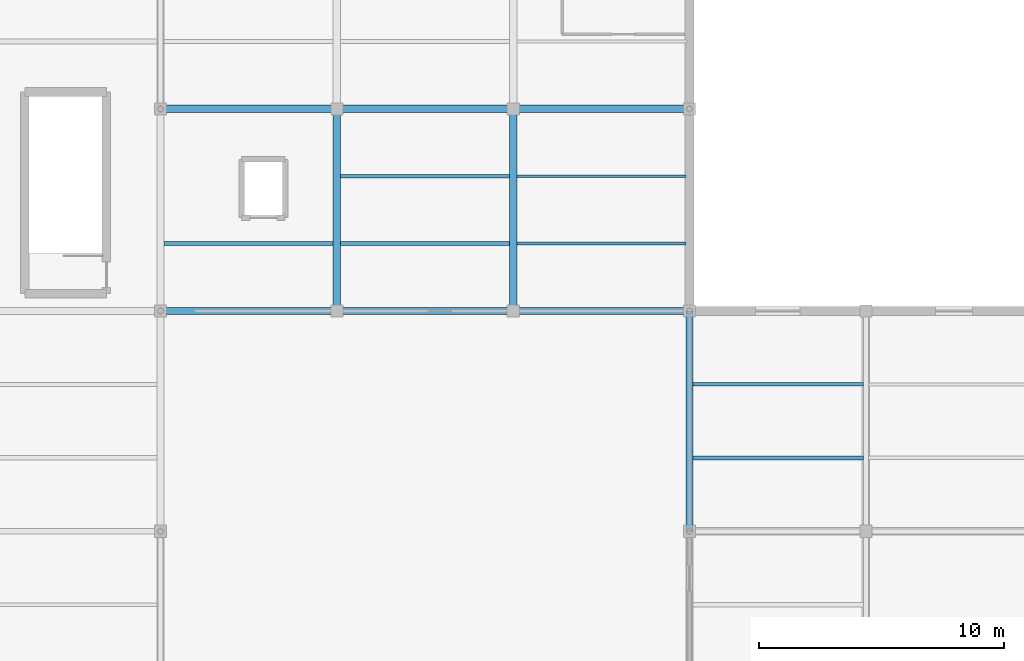
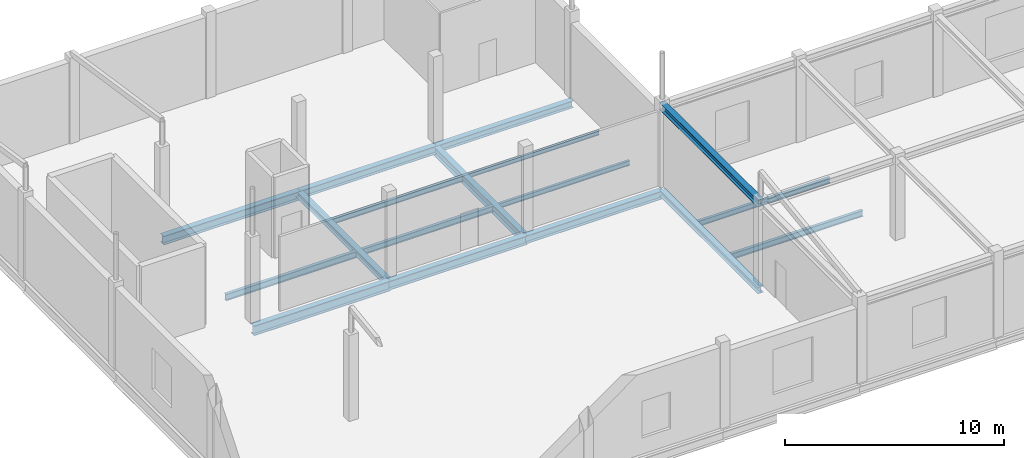
# One storey, part 12 of 35: 17 beams.
"""IFC4 building model written with IfcOpenShell, lengths in metres."""

from ifc_helpers import new_model, si_unit, direction, frame, origin, origin_2d, place, context, subcontext, project, spatial, i_section, extrude, material, material_profile, profile_set, type_object, element, save


model = new_model("IFC4")

# Units and contexts
model_context = context("Model", 3, precision=1e-05, world=origin(), true_north=direction((0.0, 1.0)))
body_context = subcontext(model_context, "Body", "Model", "MODEL_VIEW")
ifc_project = project(units=[si_unit("LENGTHUNIT", "METRE"), si_unit("AREAUNIT", "SQUARE_METRE"), si_unit("VOLUMEUNIT", "CUBIC_METRE"), si_unit("PLANEANGLEUNIT", "RADIAN"), si_unit("MASSUNIT", "GRAM", prefix="KILO")], contexts=[model_context])

# Site, building, storey
site_placement = place(None, origin())
site = spatial("IfcSite", under=ifc_project, at=site_placement, CompositionType="ELEMENT")
building_placement = place(site_placement, origin())
building = spatial("IfcBuilding", under=site, at=building_placement, Name="Sundgate Opera House", CompositionType="ELEMENT")
storey_placement = place(building_placement, frame((0.0, 0.0, 21.60009765625)))
storey = spatial("IfcBuildingStorey", under=building, at=storey_placement, Name="L04", CompositionType="ELEMENT", Elevation=21.60009765625)

# Beams
ifc_material_1 = material(Name="Steel S355J2", Category="steel")
ifc_material_profile_1 = material_profile(ifc_material_1, i_section(OverallWidth=0.300048828125, OverallDepth=0.35009765625, WebThickness=0.010009765625, FlangeThickness=0.017578125, at=origin_2d()), Name="HEA 360")
ifc_profile_set_1 = profile_set([ifc_material_profile_1], Name="Steel S355J2")
beam_type_1 = type_object("IfcBeamType", Name="BM-GR-HEA360", PredefinedType="BEAM", material=ifc_profile_set_1)
beam_1_placement = place(storey_placement, frame((124.199951171875, 78.0, -0.455078125), z_axis=(0.0, 1.0, 0.0), x_axis=(-1.0, 0.0, 0.0)))
element("IfcBeam", 1, at=beam_1_placement, inside=storey, type_object=beam_type_1, Name="L04 Primary N-S Girder B2933", PredefinedType="BEAM", context=body_context, shape_type="SweptSolid", body=[
    extrude(i_section(OverallWidth=0.300048828125, OverallDepth=0.35009765625, WebThickness=0.010009765625, FlangeThickness=0.017578125, at=origin_2d()), origin(), (0.0, 0.0, 1.0), 9.0),
])
ifc_material_2 = material(Name="Steel S355J2", Category="steel")
ifc_material_profile_2 = material_profile(ifc_material_2, i_section(OverallWidth=0.300048828125, OverallDepth=0.389892578125, WebThickness=0.010986328125, FlangeThickness=0.01904296875, at=origin_2d()), Name="HEA 400")
ifc_profile_set_2 = profile_set([ifc_material_profile_2], Name="Steel S355J2")
beam_type_2 = type_object("IfcBeamType", Name="BM-GR-HEA400", PredefinedType="BEAM", material=ifc_profile_set_2)
beam_2_placement = place(storey_placement, frame((117.0, 95.25, -0.47509765625), z_axis=(1.0, 0.0, 0.0), x_axis=(0.0, 1.0, 0.0)))
element("IfcBeam", 2, at=beam_2_placement, inside=storey, type_object=beam_type_2, Name="L04 Primary E-W Girder B2998", PredefinedType="BEAM", context=body_context, shape_type="SweptSolid", body=[
    extrude(i_section(OverallWidth=0.300048828125, OverallDepth=0.389892578125, WebThickness=0.010986328125, FlangeThickness=0.01904296875, at=origin_2d()), origin(), (0.0, 0.0, 1.0), 7.199951171875),
])
beam_3_placement = place(storey_placement, frame((124.199951171875, 78.0, 4.39501953125), z_axis=(0.0, 1.0, 0.0), x_axis=(-1.0, 0.0, 0.0)))
element("IfcBeam", 3, at=beam_3_placement, inside=storey, type_object=beam_type_2, Name="L04 L04 Roof Girder B3422", PredefinedType="BEAM", context=body_context, shape_type="SweptSolid", body=[
    extrude(i_section(OverallWidth=0.300048828125, OverallDepth=0.389892578125, WebThickness=0.010986328125, FlangeThickness=0.01904296875, at=origin_2d()), origin(), (0.0, 0.0, 1.0), 9.0),
])
ifc_material_3 = material(Name="Steel S355J2", Category="steel")
ifc_material_profile_3 = material_profile(ifc_material_3, i_section(OverallWidth=0.300048828125, OverallDepth=0.43994140625, WebThickness=0.011474609375, FlangeThickness=0.02099609375, at=origin_2d()), Name="HEA 450")
ifc_profile_set_3 = profile_set([ifc_material_profile_3], Name="Steel S355J2")
beam_type_3 = type_object("IfcBeamType", Name="BM-GR-HEA450", PredefinedType="BEAM", material=ifc_profile_set_3)
beam_4_placement = place(storey_placement, frame((109.800048828125, 95.25, -0.5), z_axis=(1.0, 0.0, 0.0), x_axis=(0.0, 1.0, 0.0)))
element("IfcBeam", 4, at=beam_4_placement, inside=storey, type_object=beam_type_3, Name="L04 Primary E-W Girder B2997", PredefinedType="BEAM", context=body_context, shape_type="SweptSolid", body=[
    extrude(i_section(OverallWidth=0.300048828125, OverallDepth=0.43994140625, WebThickness=0.011474609375, FlangeThickness=0.02099609375, at=origin_2d()), origin(), (0.0, 0.0, 1.0), 7.199951171875),
])
ifc_material_4 = material(Name="Steel S355J2", Category="steel")
ifc_material_profile_4 = material_profile(ifc_material_4, i_section(OverallWidth=0.300048828125, OverallDepth=0.489990234375, WebThickness=0.011962890625, FlangeThickness=0.02294921875, at=origin_2d()), Name="HEA 500")
ifc_profile_set_4 = profile_set([ifc_material_profile_4], Name="Steel S355J2")
beam_type_4 = type_object("IfcBeamType", Name="BM-GR-HEA500", PredefinedType="BEAM", material=ifc_profile_set_4)
beam_5_placement = place(storey_placement, frame((117.0, 87.0, -0.525146484375), z_axis=(0.0, 1.0, 0.0), x_axis=(-1.0, 0.0, 0.0)))
element("IfcBeam", 5, at=beam_5_placement, inside=storey, type_object=beam_type_4, Name="L04 Primary N-S Girder B2930", PredefinedType="BEAM", context=body_context, shape_type="SweptSolid", body=[
    extrude(i_section(OverallWidth=0.300048828125, OverallDepth=0.489990234375, WebThickness=0.011962890625, FlangeThickness=0.02294921875, at=origin_2d()), origin(), (0.0, 0.0, 1.0), 8.25),
])
beam_6_placement = place(storey_placement, frame((102.60009765625, 95.25, -0.525146484375), z_axis=(1.0, 0.0, 0.0), x_axis=(0.0, 1.0, 0.0)))
element("IfcBeam", 6, at=beam_6_placement, inside=storey, type_object=beam_type_4, Name="L04 Primary E-W Girder B2996", PredefinedType="BEAM", context=body_context, shape_type="SweptSolid", body=[
    extrude(i_section(OverallWidth=0.300048828125, OverallDepth=0.489990234375, WebThickness=0.011962890625, FlangeThickness=0.02294921875, at=origin_2d()), origin(), (0.0, 0.0, 1.0), 7.199951171875),
])
ifc_material_5 = material(Name="Steel S355J2", Category="steel")
ifc_material_profile_5 = material_profile(ifc_material_5, i_section(OverallWidth=0.300048828125, OverallDepth=0.360107421875, WebThickness=0.012451171875, FlangeThickness=0.0224609375, at=origin_2d()), Name="HEB 360")
ifc_profile_set_5 = profile_set([ifc_material_profile_5], Name="Steel S355J2")
beam_type_5 = type_object("IfcBeamType", Name="BM-GR-HEB360", PredefinedType="BEAM", material=ifc_profile_set_5)
beam_7_placement = place(storey_placement, frame((109.800048828125, 87.0, -0.460205078125), z_axis=(0.0, 1.0, 0.0), x_axis=(-1.0, 0.0, 0.0)))
element("IfcBeam", 7, at=beam_7_placement, inside=storey, type_object=beam_type_5, Name="L04 Primary N-S Girder B2928", PredefinedType="BEAM", context=body_context, shape_type="SweptSolid", body=[
    extrude(i_section(OverallWidth=0.300048828125, OverallDepth=0.360107421875, WebThickness=0.012451171875, FlangeThickness=0.0224609375, at=origin_2d()), origin(), (0.0, 0.0, 1.0), 8.25),
])
ifc_material_6 = material(Name="Steel S355J2", Category="steel")
ifc_material_profile_6 = material_profile(ifc_material_6, i_section(OverallWidth=0.300048828125, OverallDepth=0.449951171875, WebThickness=0.013916015625, FlangeThickness=0.02587890625, at=origin_2d()), Name="HEB 450")
ifc_profile_set_6 = profile_set([ifc_material_profile_6], Name="Steel S355J2")
beam_type_6 = type_object("IfcBeamType", Name="BM-GR-HEB450", PredefinedType="BEAM", material=ifc_profile_set_6)
beam_8_placement = place(storey_placement, frame((117.0, 87.0, -0.505126953125), z_axis=(1.0, 0.0, 0.0), x_axis=(0.0, 1.0, 0.0)))
element("IfcBeam", 8, at=beam_8_placement, inside=storey, type_object=beam_type_6, Name="L04 Primary E-W Girder B2992", PredefinedType="BEAM", context=body_context, shape_type="SweptSolid", body=[
    extrude(i_section(OverallWidth=0.300048828125, OverallDepth=0.449951171875, WebThickness=0.013916015625, FlangeThickness=0.02587890625, at=origin_2d()), origin(), (0.0, 0.0, 1.0), 7.199951171875),
])
ifc_material_7 = material(Name="Steel S355J2", Category="steel")
ifc_material_profile_7 = material_profile(ifc_material_7, i_section(OverallWidth=0.300048828125, OverallDepth=0.5, WebThickness=0.014404296875, FlangeThickness=0.028076171875, at=origin_2d()), Name="HEB 500")
ifc_profile_set_7 = profile_set([ifc_material_profile_7], Name="Steel S355J2")
beam_type_7 = type_object("IfcBeamType", Name="BM-GR-HEB500", PredefinedType="BEAM", material=ifc_profile_set_7)
beam_9_placement = place(storey_placement, frame((109.800048828125, 87.0, -0.530029296875), z_axis=(1.0, 0.0, 0.0), x_axis=(0.0, 1.0, 0.0)))
element("IfcBeam", 9, at=beam_9_placement, inside=storey, type_object=beam_type_7, Name="L04 Primary E-W Girder B2991", PredefinedType="BEAM", context=body_context, shape_type="SweptSolid", body=[
    extrude(i_section(OverallWidth=0.300048828125, OverallDepth=0.5, WebThickness=0.014404296875, FlangeThickness=0.028076171875, at=origin_2d()), origin(), (0.0, 0.0, 1.0), 7.199951171875),
])
ifc_material_8 = material(Name="Steel S355J2", Category="steel")
ifc_material_profile_8 = material_profile(ifc_material_8, i_section(OverallWidth=0.300048828125, OverallDepth=0.550048828125, WebThickness=0.014892578125, FlangeThickness=0.029052734375, at=origin_2d()), Name="HEB 550")
ifc_profile_set_8 = profile_set([ifc_material_profile_8], Name="Steel S355J2")
beam_type_8 = type_object("IfcBeamType", Name="BM-GR-HEB550", PredefinedType="BEAM", material=ifc_profile_set_8)
beam_10_placement = place(storey_placement, frame((102.60009765625, 87.0, -0.55517578125), z_axis=(1.0, 0.0, 0.0), x_axis=(0.0, 1.0, 0.0)))
element("IfcBeam", 10, at=beam_10_placement, inside=storey, type_object=beam_type_8, Name="L04 Primary E-W Girder B2990", PredefinedType="BEAM", context=body_context, shape_type="SweptSolid", body=[
    extrude(i_section(OverallWidth=0.300048828125, OverallDepth=0.550048828125, WebThickness=0.014892578125, FlangeThickness=0.029052734375, at=origin_2d()), origin(), (0.0, 0.0, 1.0), 7.199951171875),
])
ifc_material_9 = material(Name="Steel S355J2", Category="steel")
ifc_material_profile_9 = material_profile(ifc_material_9, i_section(OverallWidth=0.1201171875, OverallDepth=0.239990234375, WebThickness=0.006103515625, FlangeThickness=0.009765625, at=origin_2d()), Name="IPE 240")
ifc_profile_set_9 = profile_set([ifc_material_profile_9], Name="Steel S355J2")
beam_type_9 = type_object("IfcBeamType", Name="BM-JS-IPE240", PredefinedType="JOIST", material=ifc_profile_set_9)
beam_11_placement = place(storey_placement, frame((117.14990234375, 92.5, -0.400146484375), z_axis=(1.0, 0.0, 0.0), x_axis=(0.0, 1.0, 0.0)))
element("IfcBeam", 11, at=beam_11_placement, inside=storey, type_object=beam_type_9, Name="L04 Secondary Floor Joist B3067", PredefinedType="JOIST", context=body_context, shape_type="SweptSolid", body=[
    extrude(i_section(OverallWidth=0.1201171875, OverallDepth=0.239990234375, WebThickness=0.006103515625, FlangeThickness=0.009765625, at=origin_2d()), origin(), (0.0, 0.0, 1.0), 6.900146484375),
])
ifc_material_10 = material(Name="Steel S355J2", Category="steel")
ifc_material_profile_10 = material_profile(ifc_material_10, i_section(OverallWidth=0.135009765625, OverallDepth=0.27001953125, WebThickness=0.006591796875, FlangeThickness=0.01025390625, at=origin_2d()), Name="IPE 270")
ifc_profile_set_10 = profile_set([ifc_material_profile_10], Name="Steel S355J2")
beam_type_10 = type_object("IfcBeamType", Name="BM-JS-IPE270", PredefinedType="JOIST", material=ifc_profile_set_10)
beam_12_placement = place(storey_placement, frame((117.14990234375, 89.75, -0.4150390625), z_axis=(1.0, 0.0, 0.0), x_axis=(0.0, 1.0, 0.0)))
element("IfcBeam", 12, at=beam_12_placement, inside=storey, type_object=beam_type_10, Name="L04 Secondary Floor Joist B3066", PredefinedType="JOIST", context=body_context, shape_type="SweptSolid", body=[
    extrude(i_section(OverallWidth=0.135009765625, OverallDepth=0.27001953125, WebThickness=0.006591796875, FlangeThickness=0.01025390625, at=origin_2d()), origin(), (0.0, 0.0, 1.0), 6.900146484375),
])
ifc_material_11 = material(Name="Steel S355J2", Category="steel")
ifc_material_profile_11 = material_profile(ifc_material_11, i_section(OverallWidth=0.14990234375, OverallDepth=0.300048828125, WebThickness=0.007080078125, FlangeThickness=0.0107421875, at=origin_2d()), Name="IPE 300")
ifc_profile_set_11 = profile_set([ifc_material_profile_11], Name="Steel S355J2")
beam_type_11 = type_object("IfcBeamType", Name="BM-JS-IPE300", PredefinedType="JOIST", material=ifc_profile_set_11)
beam_13_placement = place(storey_placement, frame((124.35009765625, 84.0, -0.43017578125), z_axis=(1.0, 0.0, 0.0), x_axis=(0.0, 1.0, 0.0)))
element("IfcBeam", 13, at=beam_13_placement, inside=storey, type_object=beam_type_11, Name="L04 Secondary Floor Joist B3058", PredefinedType="JOIST", context=body_context, shape_type="SweptSolid", body=[
    extrude(i_section(OverallWidth=0.14990234375, OverallDepth=0.300048828125, WebThickness=0.007080078125, FlangeThickness=0.0107421875, at=origin_2d()), origin(), (0.0, 0.0, 1.0), 6.949951171875),
])
beam_14_placement = place(storey_placement, frame((109.949951171875, 92.5, -0.43017578125), z_axis=(1.0, 0.0, 0.0), x_axis=(0.0, 1.0, 0.0)))
element("IfcBeam", 14, at=beam_14_placement, inside=storey, type_object=beam_type_11, Name="L04 Secondary Floor Joist B3065", PredefinedType="JOIST", context=body_context, shape_type="SweptSolid", body=[
    extrude(i_section(OverallWidth=0.14990234375, OverallDepth=0.300048828125, WebThickness=0.007080078125, FlangeThickness=0.0107421875, at=origin_2d()), origin(), (0.0, 0.0, 1.0), 6.900146484375),
])
ifc_material_12 = material(Name="Steel S355J2", Category="steel")
ifc_material_profile_12 = material_profile(ifc_material_12, i_section(OverallWidth=0.159912109375, OverallDepth=0.330078125, WebThickness=0.007568359375, FlangeThickness=0.011474609375, at=origin_2d()), Name="IPE 330")
ifc_profile_set_12 = profile_set([ifc_material_profile_12], Name="Steel S355J2")
beam_type_12 = type_object("IfcBeamType", Name="BM-JS-IPE330", PredefinedType="JOIST", material=ifc_profile_set_12)
beam_15_placement = place(storey_placement, frame((124.35009765625, 81.0, -0.445068359375), z_axis=(1.0, 0.0, 0.0), x_axis=(0.0, 1.0, 0.0)))
element("IfcBeam", 15, at=beam_15_placement, inside=storey, type_object=beam_type_12, Name="L04 Secondary Floor Joist B3057", PredefinedType="JOIST", context=body_context, shape_type="SweptSolid", body=[
    extrude(i_section(OverallWidth=0.159912109375, OverallDepth=0.330078125, WebThickness=0.007568359375, FlangeThickness=0.011474609375, at=origin_2d()), origin(), (0.0, 0.0, 1.0), 6.949951171875),
])
beam_16_placement = place(storey_placement, frame((109.949951171875, 89.75, -0.445068359375), z_axis=(1.0, 0.0, 0.0), x_axis=(0.0, 1.0, 0.0)))
element("IfcBeam", 16, at=beam_16_placement, inside=storey, type_object=beam_type_12, Name="L04 Secondary Floor Joist B3064", PredefinedType="JOIST", context=body_context, shape_type="SweptSolid", body=[
    extrude(i_section(OverallWidth=0.159912109375, OverallDepth=0.330078125, WebThickness=0.007568359375, FlangeThickness=0.011474609375, at=origin_2d()), origin(), (0.0, 0.0, 1.0), 6.900146484375),
])
ifc_material_13 = material(Name="Steel S355J2", Category="steel")
ifc_material_profile_13 = material_profile(ifc_material_13, i_section(OverallWidth=0.169921875, OverallDepth=0.360107421875, WebThickness=0.008056640625, FlangeThickness=0.0126953125, at=origin_2d()), Name="IPE 360")
ifc_profile_set_13 = profile_set([ifc_material_profile_13], Name="Steel S355J2")
beam_type_13 = type_object("IfcBeamType", Name="BM-JS-IPE360", PredefinedType="JOIST", material=ifc_profile_set_13)
beam_17_placement = place(storey_placement, frame((102.75, 89.75, -0.460205078125), z_axis=(1.0, 0.0, 0.0), x_axis=(0.0, 1.0, 0.0)))
element("IfcBeam", 17, at=beam_17_placement, inside=storey, type_object=beam_type_13, Name="L04 Secondary Floor Joist B3063", PredefinedType="JOIST", context=body_context, shape_type="SweptSolid", body=[
    extrude(i_section(OverallWidth=0.169921875, OverallDepth=0.360107421875, WebThickness=0.008056640625, FlangeThickness=0.0126953125, at=origin_2d()), origin(), (0.0, 0.0, 1.0), 6.89990234375),
])

save(model, "model.ifc")
